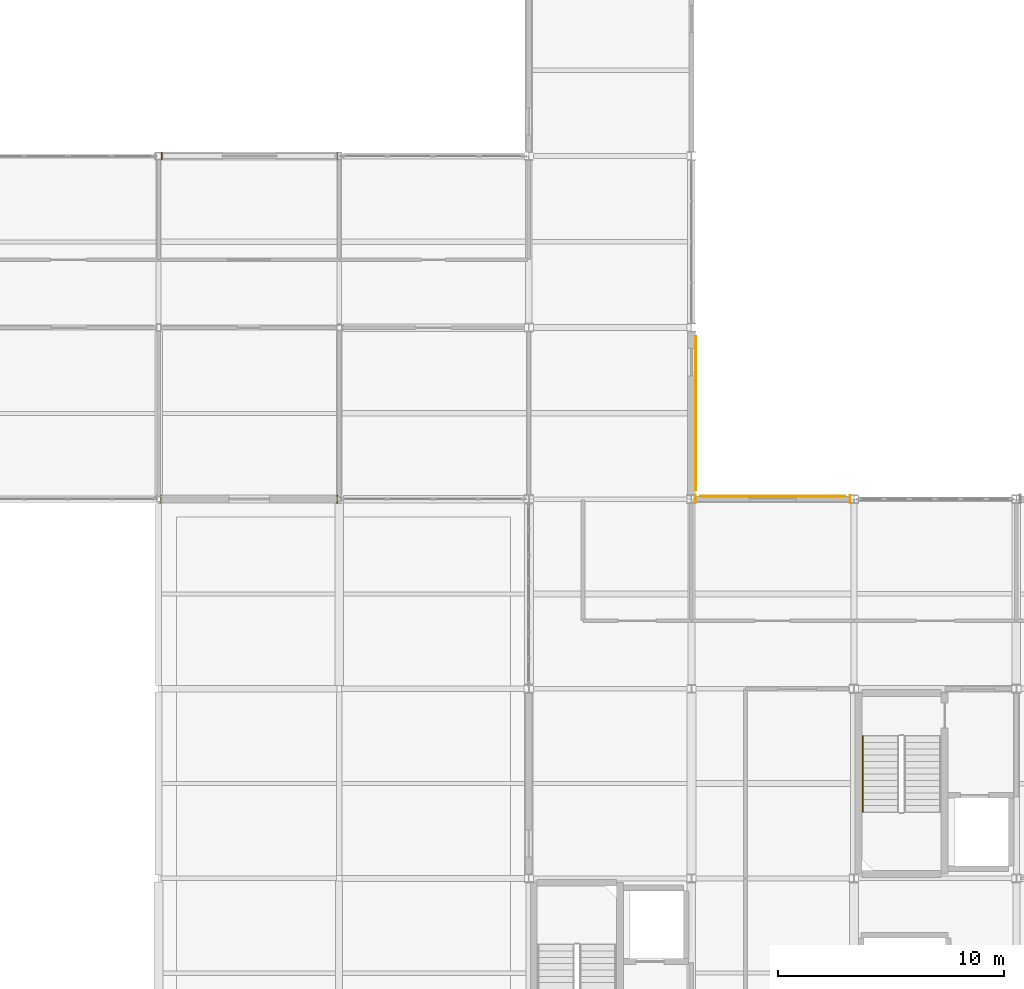
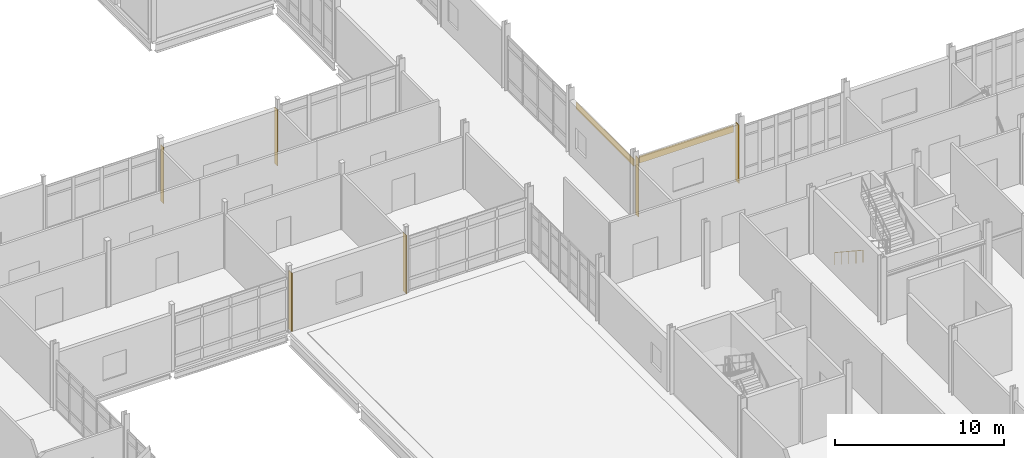
# One storey, part 176 of 186: 8 coverings, 1 railing.
"""IFC4 building model written with IfcOpenShell, lengths in metres."""

from ifc_helpers import new_model, si_unit, direction, frame, origin, origin_2d, place, context, subcontext, project, spatial, polyline, rectangle, circle, outline, extrude, material, layer, layer_set, type_object, element, save


model = new_model("IFC4")

# Units and contexts
model_context = context("Model", 3, precision=1e-05, world=origin(), true_north=direction((0.0, 1.0)))
body_context = subcontext(model_context, "Body", "Model", "MODEL_VIEW")
ifc_project = project(units=[si_unit("LENGTHUNIT", "METRE"), si_unit("AREAUNIT", "SQUARE_METRE"), si_unit("VOLUMEUNIT", "CUBIC_METRE"), si_unit("PLANEANGLEUNIT", "RADIAN"), si_unit("MASSUNIT", "GRAM", prefix="KILO")], contexts=[model_context])

# Site, building, storey
site_placement = place(None, origin())
site = spatial("IfcSite", under=ifc_project, at=site_placement, CompositionType="ELEMENT")
building_placement = place(site_placement, origin())
building = spatial("IfcBuilding", under=site, at=building_placement, Name="Calvrana Isthmian Art Gallery", CompositionType="ELEMENT")
storey_placement = place(building_placement, frame((0.0, 0.0, 5.39990234375)))
storey = spatial("IfcBuildingStorey", under=building, at=storey_placement, Name="L01", CompositionType="ELEMENT", Elevation=5.39990234375)

# Coverings
ifc_material_1 = material(Name="Polychrome glazed terracotta", Category="masonry")
ifc_layer = layer(ifc_material_1, 0.0400390625, Name="Polychrome glazed terracotta")
ifc_layer_set = layer_set([ifc_layer], Name="Polychrome glazed terracotta")
covering_type = type_object("IfcCoveringType", Name="COV-CLAD-TERRA", PredefinedType="CLADDING", material=ifc_layer_set)
covering_1_placement = place(storey_placement, origin())
element("IfcCovering", 1, at=covering_1_placement, inside=storey, type_object=covering_type, Name="Column pocket weather closure L01-12-06-W", PredefinedType="CLADDING", context=body_context, shape_type="SweptSolid", body=[
    extrude(outline(polyline([(96.487060546875, 46.625), (96.527099609375, 46.625), (96.527099609375, 46.97509765625), (96.487060546875, 46.97509765625), (96.487060546875, 46.625)])), origin(), (0.0, 0.0, 1.0), 4.21533203125),
])
covering_2_placement = place(storey_placement, origin())
element("IfcCovering", 2, at=covering_2_placement, inside=storey, type_object=covering_type, Name="Column pocket weather closure L01-12-06-E", PredefinedType="CLADDING", context=body_context, shape_type="SweptSolid", body=[
    extrude(outline(polyline([(104.29833984375, 46.625), (104.33837890625, 46.625), (104.33837890625, 46.97509765625), (104.29833984375, 46.97509765625), (104.29833984375, 46.625)])), origin(), (0.0, 0.0, 1.0), 4.21533203125),
])
covering_3_placement = place(storey_placement, origin())
element("IfcCovering", 3, at=covering_3_placement, inside=storey, type_object=covering_type, Name="Column pocket weather closure L01-15-06-W", PredefinedType="CLADDING", context=body_context, shape_type="SweptSolid", body=[
    extrude(outline(polyline([(120.156982421875, 46.616943359375), (120.197021484375, 46.616943359375), (120.197021484375, 46.98291015625), (120.156982421875, 46.98291015625), (120.156982421875, 46.616943359375)])), origin(), (0.0, 0.0, 1.0), 4.21533203125),
])
covering_4_placement = place(storey_placement, origin())
element("IfcCovering", 4, at=covering_4_placement, inside=storey, type_object=covering_type, Name="Column pocket weather closure L01-15-06-E", PredefinedType="CLADDING", context=body_context, shape_type="SweptSolid", body=[
    extrude(outline(polyline([(127.013427734375, 46.618408203125), (127.053466796875, 46.618408203125), (127.053466796875, 46.9814453125), (127.013427734375, 46.9814453125), (127.013427734375, 46.618408203125)])), origin(), (0.0, 0.0, 1.0), 4.21533203125),
])
covering_5_placement = place(storey_placement, frame((123.605224609375, 46.927978515625, 3.615234375), z_axis=(0.0, 0.0, 1.0), x_axis=(1.0, 0.0, 0.0)))
element("IfcCovering", 5, at=covering_5_placement, inside=storey, type_object=covering_type, Name="Terracotta spandrel cladding 070", PredefinedType="CLADDING", context=body_context, shape_type="SweptSolid", body=[
    extrude(rectangle(XDim=6.41650390625, YDim=0.0400390625, at=origin_2d()), origin(), (0.0, 0.0, 1.0), 0.5),
])
covering_6_placement = place(storey_placement, origin())
element("IfcCovering", 6, at=covering_6_placement, inside=storey, type_object=covering_type, Name="Column pocket weather closure L01-12-08-W", PredefinedType="CLADDING", context=body_context, shape_type="SweptSolid", body=[
    extrude(outline(polyline([(96.512451171875, 61.824951171875), (96.552490234375, 61.824951171875), (96.552490234375, 62.175048828125), (96.512451171875, 62.175048828125), (96.512451171875, 61.824951171875)])), origin(), (0.0, 0.0, 1.0), 4.05810546875),
])
covering_7_placement = place(storey_placement, origin())
element("IfcCovering", 7, at=covering_7_placement, inside=storey, type_object=covering_type, Name="Column pocket weather closure L01-12-08-E", PredefinedType="CLADDING", context=body_context, shape_type="SweptSolid", body=[
    extrude(outline(polyline([(104.29833984375, 61.824951171875), (104.33837890625, 61.824951171875), (104.33837890625, 62.175048828125), (104.29833984375, 62.175048828125), (104.29833984375, 61.824951171875)])), origin(), (0.0, 0.0, 1.0), 4.05810546875),
])
covering_8_placement = place(storey_placement, frame((120.193115234375, 50.60205078125, 3.30810546875), z_axis=(0.0, 0.0, 1.0), x_axis=(0.0, -1.0, 0.0)))
element("IfcCovering", 8, at=covering_8_placement, inside=storey, type_object=covering_type, Name="Terracotta spandrel cladding 105", PredefinedType="CLADDING", context=body_context, shape_type="SweptSolid", body=[
    extrude(rectangle(XDim=6.827880859375, YDim=0.0400390625, at=origin_2d()), origin(), (0.0, 0.0, 1.0), 0.5),
])

# Railing
ifc_material_2 = material(Name="Stainless steel 316", Category="steel")
railing_type = type_object("IfcRailingType", Name="RL-HAND-920", PredefinedType="HANDRAIL", material=ifc_material_2)
railing_placement = place(storey_placement, frame((127.60009765625, 36.300048828125, 0.184814453125)))
element("IfcRailing", 9, at=railing_placement, inside=storey, type_object=railing_type, Name="Stair ST-4 handrail L01-1", PredefinedType="HANDRAIL", context=body_context, shape_type="SweptSolid", body=[
    extrude(circle(Radius=0.02392578125, at=origin_2d()), frame((0.0, 0.0, 0.89599609375), z_axis=(0.0, -0.834876476806, 0.550437342915), x_axis=(1.0, 0.0, 0.0)), (0.0, 0.0, 1.0), 4.024658203125),
    extrude(circle(Radius=0.02099609375, at=origin_2d()), origin(), (0.0, 0.0, 1.0), 0.871826171875),
    extrude(circle(Radius=0.02099609375, at=origin_2d()), frame((0.0, -0.840087890625, 0.5537109375)), (0.0, 0.0, 1.0), 0.871826171875),
    extrude(circle(Radius=0.02099609375, at=origin_2d()), frame((0.0, -1.68017578125, 1.107666015625)), (0.0, 0.0, 1.0), 0.871826171875),
    extrude(circle(Radius=0.02099609375, at=origin_2d()), frame((0.0, -2.52001953125, 1.66162109375)), (0.0, 0.0, 1.0), 0.871826171875),
    extrude(circle(Radius=0.02099609375, at=origin_2d()), frame((0.0, -3.360107421875, 2.21533203125)), (0.0, 0.0, 1.0), 0.871826171875),
])

save(model, "model.ifc")
